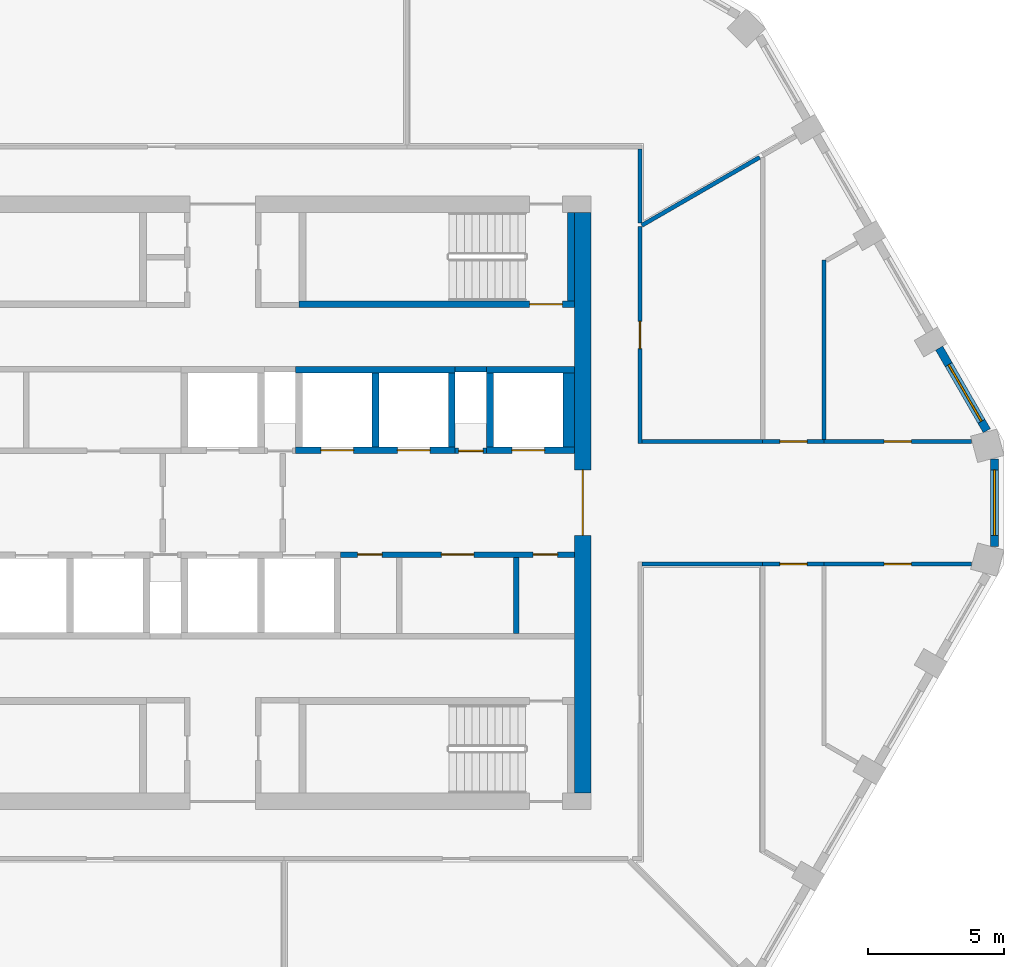
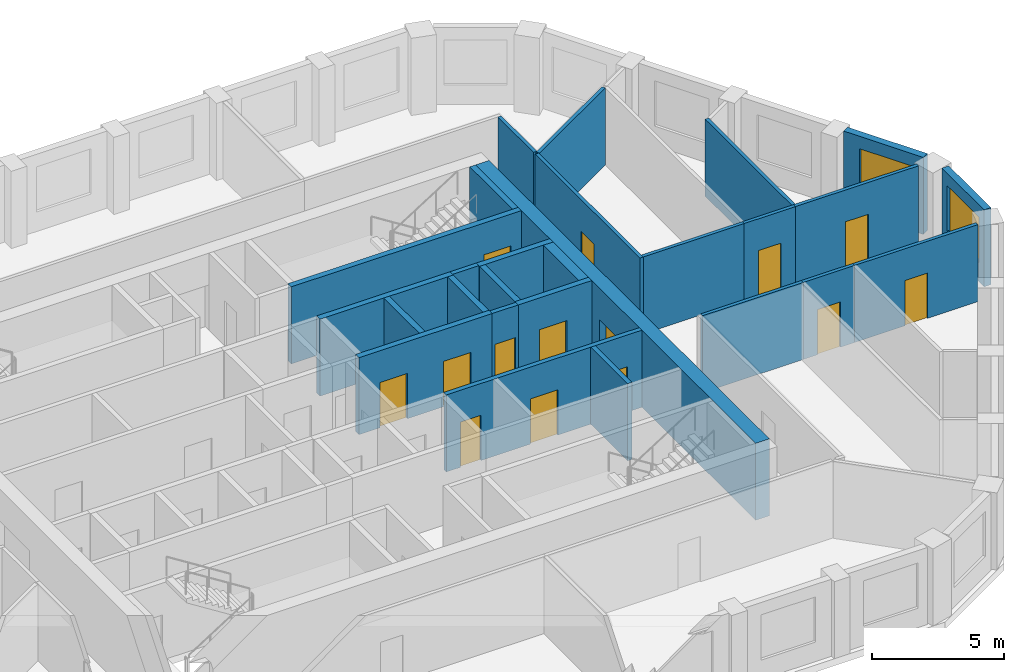
# One storey, part 5 of 11: 27 walls, 14 doors, 2 windows, 16 openings.
"""IFC4 building model written with IfcOpenShell, lengths in metres."""

from ifc_helpers import new_model, si_unit, direction, frame, frame_2d, origin, place, context, subcontext, project, spatial, polyline, rectangle, outline, extrude, material, layer, layer_set, type_object, element, fill, save


model = new_model("IFC4")

# Units and contexts
model_context = context("Model", 3, precision=1e-05, world=origin(), true_north=direction((0.0, 1.0)))
body_context = subcontext(model_context, "Body", "Model", "MODEL_VIEW")
ifc_project = project(units=[si_unit("LENGTHUNIT", "METRE"), si_unit("AREAUNIT", "SQUARE_METRE"), si_unit("VOLUMEUNIT", "CUBIC_METRE"), si_unit("PLANEANGLEUNIT", "RADIAN"), si_unit("MASSUNIT", "GRAM", prefix="KILO")], contexts=[model_context])

# Site, building, storey
site_placement = place(None, origin())
site = spatial("IfcSite", under=ifc_project, at=site_placement, CompositionType="ELEMENT")
building_placement = place(site_placement, origin())
building = spatial("IfcBuilding", under=site, at=building_placement, Name="Dhurran Vertical Campus", CompositionType="ELEMENT")
storey_placement = place(building_placement, frame((0.0, 0.0, 270.300048828125)))
storey = spatial("IfcBuildingStorey", under=building, at=storey_placement, Name="L67", CompositionType="ELEMENT", Elevation=270.300048828125)

# Wall, opening, window
ifc_material_1 = material(Name="Precast concrete C50/60", Category="concrete")
ifc_layer_1 = layer(ifc_material_1, 0.300048828125)
ifc_layer_set_1 = layer_set([ifc_layer_1], Name="Precast concrete C50/60")
wall_type_1 = type_object("IfcWallType", Name="Precast spandrel wall 300", PredefinedType="SOLIDWALL", material=ifc_layer_set_1)
wall_1_placement = place(storey_placement, frame((28.297119140625, -1.59814453125, 0.0), z_axis=(0.0, 0.0, 1.0), x_axis=(0.0, 1.0, 0.0)))
wall_1 = element("IfcWall", 1, at=wall_1_placement, inside=storey, type_object=wall_type_1, Name="EW1 L67.12", PredefinedType="SOLIDWALL", context=body_context, shape_type="SweptSolid", body=[
    extrude(rectangle(XDim=3.1962890625, YDim=0.300048828125, at=frame_2d((1.59814453125, 0.0))), origin(), (0.0, 0.0, 1.0), 3.574951171875),
])
opening_1_placement = place(wall_1_placement, frame((0.398193359375, 0.0, 0.89990234375)))
opening_1 = element("IfcOpeningElement", 2, at=opening_1_placement, cuts=wall_1, Name="Opening WT1", PredefinedType="OPENING", context=body_context, shape_type="SweptSolid", body=[
    extrude(rectangle(XDim=2.39990234375, YDim=2.10009765625, at=frame_2d((1.199951171875, 1.050048828125))), frame((0.0, 0.159912109375, 0.0), z_axis=(0.0, -1.0, 0.0), x_axis=(1.0, 0.0, 0.0)), (0.0, 0.0, 1.0), 0.320068359375),
])
ifc_material_2 = material(Name="Aluminium frame with solar-control glass", Category="aluminium")
window_type = type_object("IfcWindowType", Name="Punched window 2400 x 2100", PartitioningType="SINGLE_PANEL", PredefinedType="WINDOW", material=ifc_material_2)
window_1_placement = place(opening_1_placement, origin())
window_1 = element("IfcWindow", 3, at=window_1_placement, inside=storey, type_object=window_type, Name="WT1 L67.12", OverallHeight=2.10009765625, OverallWidth=2.39990234375, PartitioningType="SINGLE_PANEL", PredefinedType="WINDOW", context=body_context, shape_type="SweptSolid", body=[
    extrude(rectangle(XDim=2.39990234375, YDim=2.10009765625, at=frame_2d((1.199951171875, 1.050048828125))), frame((0.0, 0.030029296875, 0.0), z_axis=(0.0, -1.0, 0.0), x_axis=(1.0, 0.0, 0.0)), (0.0, 0.0, 1.0), 0.06005859375),
])
fill(opening_1, window_1)

wall_2_placement = place(storey_placement, frame((28.01806640625, 2.6396484375, 0.0), z_axis=(0.0, 0.0, 1.0), x_axis=(-0.499990325971, 0.866030989016, 0.0)))
wall_2 = element("IfcWall", 4, at=wall_2_placement, inside=storey, type_object=wall_type_1, Name="EW1 L67.13", PredefinedType="SOLIDWALL", context=body_context, shape_type="SweptSolid", body=[
    extrude(rectangle(XDim=3.49755859375, YDim=0.300048828125, at=frame_2d((1.748779296875, 0.0))), origin(), (0.0, 0.0, 1.0), 3.574951171875),
])
opening_2_placement = place(wall_2_placement, frame((0.398193359375, 0.0, 0.89990234375)))
opening_2 = element("IfcOpeningElement", 5, at=opening_2_placement, cuts=wall_2, Name="Opening WT1", PredefinedType="OPENING", context=body_context, shape_type="SweptSolid", body=[
    extrude(rectangle(XDim=2.39990234375, YDim=2.10009765625, at=frame_2d((1.199951171875, 1.050048828125))), frame((0.0, 0.159912109375, 0.0), z_axis=(0.0, -1.0, 0.0), x_axis=(1.0, 0.0, 0.0)), (0.0, 0.0, 1.0), 0.320068359375),
])
window_2_placement = place(opening_2_placement, origin())
window_2 = element("IfcWindow", 6, at=window_2_placement, inside=storey, type_object=window_type, Name="WT1 L67.13", OverallHeight=2.10009765625, OverallWidth=2.39990234375, PartitioningType="SINGLE_PANEL", PredefinedType="WINDOW", context=body_context, shape_type="SweptSolid", body=[
    extrude(rectangle(XDim=2.39990234375, YDim=2.10009765625, at=frame_2d((1.199951171875, 1.050048828125))), frame((0.0, 0.030029296875, 0.0), z_axis=(0.0, -1.0, 0.0), x_axis=(1.0, 0.0, 0.0)), (0.0, 0.0, 1.0), 0.06005859375),
])
fill(opening_2, window_2)

# Wall, opening, door
ifc_material_3 = material(Name="Concrete C50/60", Category="concrete")
ifc_layer_2 = layer(ifc_material_3, 0.60009765625)
ifc_layer_set_2 = layer_set([ifc_layer_2], Name="Concrete C50/60")
wall_type_2 = type_object("IfcWallType", Name="co-CORE-WALL-C2-600", PredefinedType="SHEAR", material=ifc_layer_set_2)
wall_3_placement = place(storey_placement, frame((13.199951171875, -10.64990234375, 0.0), z_axis=(0.0, 0.0, 1.0), x_axis=(0.0, 1.0, 0.0)))
wall_3 = element("IfcWall", 7, at=wall_3_placement, inside=storey, type_object=wall_type_2, Name="Core wall E L67", PredefinedType="SHEAR", context=body_context, shape_type="SweptSolid", body=[
    extrude(rectangle(XDim=21.2998046875, YDim=0.60009765625, at=frame_2d((10.64990234375, 0.0))), origin(), (0.0, 0.0, 1.0), 3.574951171875),
])
opening_3_placement = place(wall_3_placement, frame((9.449951171875, 0.0, 0.0)))
opening_3 = element("IfcOpeningElement", 8, at=opening_3_placement, cuts=wall_3, Name="Opening CL2", PredefinedType="OPENING", context=body_context, shape_type="SweptSolid", body=[
    extrude(rectangle(XDim=2.39990234375, YDim=2.10009765625, at=frame_2d((1.199951171875, 1.050048828125))), frame((0.0, 0.31005859375, 0.0), z_axis=(0.0, -1.0, 0.0), x_axis=(1.0, 0.0, 0.0)), (0.0, 0.0, 1.0), 0.6201171875),
])
ifc_material_4 = material(Name="Fire-rated glazed door set")
door_type_1 = type_object("IfcDoorType", Name="co-D-LOBBY 2400x2100", OperationType="DOUBLE_DOOR_DOUBLE_SWING", PredefinedType="DOOR", material=ifc_material_4)
door_1_placement = place(opening_3_placement, origin())
door_1 = element("IfcDoor", 9, at=door_1_placement, inside=storey, type_object=door_type_1, Name="Lift lobby door E L67", OperationType="DOUBLE_DOOR_DOUBLE_SWING", OverallHeight=2.10009765625, OverallWidth=2.39990234375, PredefinedType="DOOR", context=body_context, shape_type="SweptSolid", body=[
    extrude(rectangle(XDim=2.39990234375, YDim=2.10009765625, at=frame_2d((1.199951171875, 1.050048828125))), frame((0.0, 0.02490234375, 0.0), z_axis=(0.0, -1.0, 0.0), x_axis=(1.0, 0.0, 0.0)), (0.0, 0.0, 1.0), 0.050048828125),
])
fill(opening_3, door_1)

ifc_material_5 = material(Name="Fire-rated masonry blockwork", Category="masonry")
ifc_layer_3 = layer(ifc_material_5, 0.199951171875)
ifc_layer_set_3 = layer_set([ifc_layer_3], Name="Fire-rated masonry blockwork")
wall_type_3 = type_object("IfcWallType", Name="co-FIRE-PARTITION-200", PredefinedType="PARTITIONING", material=ifc_layer_set_3)
wall_4_placement = place(storey_placement, frame((8.52490234375, 1.89990234375, 0.0), z_axis=(0.0, 0.0, 1.0), x_axis=(1.0, 0.0, 0.0)))
wall_4 = element("IfcWall", 10, at=wall_4_placement, inside=storey, type_object=wall_type_3, Name="Core partition fr-N2-f L67", PredefinedType="PARTITIONING", context=body_context, shape_type="SweptSolid", body=[
    extrude(rectangle(XDim=1.150146484375, YDim=0.199951171875, at=frame_2d((0.5751953125, 0.0))), origin(), (0.0, 0.0, 1.0), 3.574951171875),
])
opening_4_placement = place(wall_4_placement, frame((0.125, 0.0, 0.0)))
opening_4 = element("IfcOpeningElement", 11, at=opening_4_placement, cuts=wall_4, Name="Opening T20-C9", PredefinedType="OPENING", context=body_context, shape_type="SweptSolid", body=[
    extrude(rectangle(XDim=0.89990234375, YDim=2.10009765625, at=frame_2d((0.449951171875, 1.050048828125))), frame((0.0, 0.10986328125, 0.0), z_axis=(0.0, -1.0, 0.0), x_axis=(1.0, 0.0, 0.0)), (0.0, 0.0, 1.0), 0.219970703125),
])
ifc_material_6 = material(Name="Fire-rated timber door set", Category="wood")
door_type_2 = type_object("IfcDoorType", Name="co-D-ROOM 900x2100", OperationType="SINGLE_SWING_LEFT", PredefinedType="DOOR", material=ifc_material_6)
door_2_placement = place(opening_4_placement, origin())
door_2 = element("IfcDoor", 12, at=door_2_placement, inside=storey, type_object=door_type_2, Name="Communications riser door L67", OperationType="SINGLE_SWING_LEFT", OverallHeight=2.10009765625, OverallWidth=0.89990234375, PredefinedType="DOOR", context=body_context, shape_type="SweptSolid", body=[
    extrude(rectangle(XDim=0.89990234375, YDim=2.10009765625, at=frame_2d((0.449951171875, 1.050048828125))), frame((0.0, 0.02490234375, 0.0), z_axis=(0.0, -1.0, 0.0), x_axis=(1.0, 0.0, 0.0)), (0.0, 0.0, 1.0), 0.050048828125),
])
fill(opening_4, door_2)

# Walls
wall_5_placement = place(storey_placement, frame((8.52490234375, 4.89990234375, 0.0), z_axis=(0.0, 0.0, 1.0), x_axis=(1.0, 0.0, 0.0)))
element("IfcWall", 13, at=wall_5_placement, inside=storey, type_object=wall_type_3, Name="Core partition fr-N2-b L67", PredefinedType="PARTITIONING", context=body_context, shape_type="SweptSolid", body=[
    extrude(rectangle(XDim=1.150146484375, YDim=0.199951171875, at=frame_2d((0.5751953125, 0.0))), origin(), (0.0, 0.0, 1.0), 3.574951171875),
])
wall_6_placement = place(storey_placement, frame((10.756103515625, -4.800048828125, 0.0), z_axis=(0.0, 0.0, 1.0), x_axis=(0.0, 1.0, 0.0)))
element("IfcWall", 14, at=wall_6_placement, inside=storey, type_object=wall_type_3, Name="Core partition fr-S2-cut1 L67", PredefinedType="PARTITIONING", context=body_context, shape_type="SweptSolid", body=[
    extrude(rectangle(XDim=2.800048828125, YDim=0.199951171875, at=frame_2d((1.39990234375, 0.0))), origin(), (0.0, 0.0, 1.0), 3.574951171875),
])

# Wall, openings, doors
wall_7_placement = place(storey_placement, frame((4.324951171875, -1.89990234375, 0.0), z_axis=(0.0, 0.0, 1.0), x_axis=(1.0, 0.0, 0.0)))
wall_7 = element("IfcWall", 15, at=wall_7_placement, inside=storey, type_object=wall_type_3, Name="Core partition fr-S2-f L67", PredefinedType="PARTITIONING", context=body_context, shape_type="SweptSolid", body=[
    extrude(rectangle(XDim=8.574951171875, YDim=0.199951171875, at=frame_2d((4.28759765625, 0.0))), origin(), (0.0, 0.0, 1.0), 3.574951171875),
])
opening_5_placement = place(wall_7_placement, frame((0.621826171875, 0.0, 0.0)))
opening_5 = element("IfcOpeningElement", 16, at=opening_5_placement, cuts=wall_7, Name="Opening T20-C12", PredefinedType="OPENING", context=body_context, shape_type="SweptSolid", body=[
    extrude(rectangle(XDim=0.89990234375, YDim=2.10009765625, at=frame_2d((0.449951171875, 1.050048828125))), frame((0.0, 0.10986328125, 0.0), z_axis=(0.0, -1.0, 0.0), x_axis=(1.0, 0.0, 0.0)), (0.0, 0.0, 1.0), 0.219970703125),
])
opening_6_placement = place(wall_7_placement, frame((3.6875, 0.0, 0.0)))
opening_6 = element("IfcOpeningElement", 17, at=opening_6_placement, cuts=wall_7, Name="Opening T20-C13", PredefinedType="OPENING", context=body_context, shape_type="SweptSolid", body=[
    extrude(rectangle(XDim=1.199951171875, YDim=2.10009765625, at=frame_2d((0.60009765625, 1.050048828125))), frame((0.0, 0.10986328125, 0.0), z_axis=(0.0, -1.0, 0.0), x_axis=(1.0, 0.0, 0.0)), (0.0, 0.0, 1.0), 0.219970703125),
])
opening_7_placement = place(wall_7_placement, frame((7.052978515625, 0.0, 0.0)))
opening_7 = element("IfcOpeningElement", 18, at=opening_7_placement, cuts=wall_7, Name="Opening T20-C14", PredefinedType="OPENING", context=body_context, shape_type="SweptSolid", body=[
    extrude(rectangle(XDim=0.89990234375, YDim=2.10009765625, at=frame_2d((0.449951171875, 1.050048828125))), frame((0.0, 0.10986328125, 0.0), z_axis=(0.0, -1.0, 0.0), x_axis=(1.0, 0.0, 0.0)), (0.0, 0.0, 1.0), 0.219970703125),
])
door_3_placement = place(opening_5_placement, origin())
door_3 = element("IfcDoor", 19, at=door_3_placement, inside=storey, type_object=door_type_2, Name="Store door L67", OperationType="SINGLE_SWING_LEFT", OverallHeight=2.10009765625, OverallWidth=0.89990234375, PredefinedType="DOOR", context=body_context, shape_type="SweptSolid", body=[
    extrude(rectangle(XDim=0.89990234375, YDim=2.10009765625, at=frame_2d((0.449951171875, 1.050048828125))), frame((0.0, 0.02490234375, 0.0), z_axis=(0.0, -1.0, 0.0), x_axis=(1.0, 0.0, 0.0)), (0.0, 0.0, 1.0), 0.050048828125),
])
fill(opening_5, door_3)
door_4_placement = place(opening_7_placement, origin())
door_4 = element("IfcDoor", 20, at=door_4_placement, inside=storey, type_object=door_type_2, Name="Plant room door L67", OperationType="SINGLE_SWING_LEFT", OverallHeight=2.10009765625, OverallWidth=0.89990234375, PredefinedType="DOOR", context=body_context, shape_type="SweptSolid", body=[
    extrude(rectangle(XDim=0.89990234375, YDim=2.10009765625, at=frame_2d((0.449951171875, 1.050048828125))), frame((0.0, 0.02490234375, 0.0), z_axis=(0.0, -1.0, 0.0), x_axis=(1.0, 0.0, 0.0)), (0.0, 0.0, 1.0), 0.050048828125),
])
fill(opening_7, door_4)
ifc_material_7 = material(Name="Fire-rated steel door set", Category="steel")
door_type_3 = type_object("IfcDoorType", Name="co-D-ROOM-PASSAGE 1200x2100", OperationType="SINGLE_SWING_RIGHT", PredefinedType="DOOR", material=ifc_material_7)
door_5_placement = place(opening_6_placement, origin())
door_5 = element("IfcDoor", 21, at=door_5_placement, inside=storey, type_object=door_type_3, Name="Communications room door L67", OperationType="SINGLE_SWING_RIGHT", OverallHeight=2.10009765625, OverallWidth=1.199951171875, PredefinedType="DOOR", context=body_context, shape_type="SweptSolid", body=[
    extrude(rectangle(XDim=1.199951171875, YDim=2.10009765625, at=frame_2d((0.60009765625, 1.050048828125))), frame((0.0, 0.02490234375, 0.0), z_axis=(0.0, -1.0, 0.0), x_axis=(1.0, 0.0, 0.0)), (0.0, 0.0, 1.0), 0.050048828125),
])
fill(opening_6, door_5)

ifc_material_8 = material(Name="Concrete C50/60", Category="concrete")
ifc_layer_4 = layer(ifc_material_8, 0.25)
ifc_layer_set_4 = layer_set([ifc_layer_4], Name="Concrete C50/60")
wall_type_4 = type_object("IfcWallType", Name="co-SHAFT-FRONT-250", PredefinedType="SHEAR", material=ifc_layer_set_4)
wall_8_placement = place(storey_placement, frame((2.675048828125, 1.925048828125, 0.0), z_axis=(0.0, 0.0, 1.0), x_axis=(1.0, 0.0, 0.0)))
wall_8 = element("IfcWall", 22, at=wall_8_placement, inside=storey, type_object=wall_type_4, Name="Lift landing wall N L67", PredefinedType="SHEAR", context=body_context, shape_type="SweptSolid", body=[
    extrude(rectangle(XDim=5.849853515625, YDim=0.25, at=frame_2d((2.9248046875, 0.0))), origin(), (0.0, 0.0, 1.0), 3.574951171875),
])
opening_8_placement = place(wall_8_placement, frame((0.925048828125, 0.0, 0.0)))
opening_8 = element("IfcOpeningElement", 23, at=opening_8_placement, cuts=wall_8, Name="Opening LD", PredefinedType="OPENING", context=body_context, shape_type="SweptSolid", body=[
    extrude(rectangle(XDim=1.199951171875, YDim=2.10009765625, at=frame_2d((0.60009765625, 1.050048828125))), frame((0.0, 0.135009765625, 0.0), z_axis=(0.0, -1.0, 0.0), x_axis=(1.0, 0.0, 0.0)), (0.0, 0.0, 1.0), 0.27001953125),
])
opening_9_placement = place(wall_8_placement, frame((3.72509765625, 0.0, 0.0)))
opening_9 = element("IfcOpeningElement", 24, at=opening_9_placement, cuts=wall_8, Name="Opening LD", PredefinedType="OPENING", context=body_context, shape_type="SweptSolid", body=[
    extrude(rectangle(XDim=1.199951171875, YDim=2.10009765625, at=frame_2d((0.60009765625, 1.050048828125))), frame((0.0, 0.135009765625, 0.0), z_axis=(0.0, -1.0, 0.0), x_axis=(1.0, 0.0, 0.0)), (0.0, 0.0, 1.0), 0.27001953125),
])
ifc_material_9 = material(Name="Stainless steel landing door", Category="steel")
door_type_4 = type_object("IfcDoorType", Name="co-D-LANDING 1200x2100", OperationType="DOUBLE_DOOR_SLIDING", PredefinedType="DOOR", material=ifc_material_9)
door_6_placement = place(opening_8_placement, origin())
door_6 = element("IfcDoor", 25, at=door_6_placement, inside=storey, type_object=door_type_4, Name="Landing door HR1 L67", OperationType="DOUBLE_DOOR_SLIDING", OverallHeight=2.10009765625, OverallWidth=1.199951171875, PredefinedType="DOOR", context=body_context, shape_type="SweptSolid", body=[
    extrude(rectangle(XDim=1.199951171875, YDim=2.10009765625, at=frame_2d((0.60009765625, 1.050048828125))), frame((0.0, 0.02490234375, 0.0), z_axis=(0.0, -1.0, 0.0), x_axis=(1.0, 0.0, 0.0)), (0.0, 0.0, 1.0), 0.050048828125),
])
fill(opening_8, door_6)
door_7_placement = place(opening_9_placement, origin())
door_7 = element("IfcDoor", 26, at=door_7_placement, inside=storey, type_object=door_type_4, Name="Landing door HR2 L67", OperationType="DOUBLE_DOOR_SLIDING", OverallHeight=2.10009765625, OverallWidth=1.199951171875, PredefinedType="DOOR", context=body_context, shape_type="SweptSolid", body=[
    extrude(rectangle(XDim=1.199951171875, YDim=2.10009765625, at=frame_2d((0.60009765625, 1.050048828125))), frame((0.0, 0.02490234375, 0.0), z_axis=(0.0, -1.0, 0.0), x_axis=(1.0, 0.0, 0.0)), (0.0, 0.0, 1.0), 0.050048828125),
])
fill(opening_9, door_7)

# Wall, opening, door
wall_9_placement = place(storey_placement, frame((9.675048828125, 1.925048828125, 0.0), z_axis=(0.0, 0.0, 1.0), x_axis=(1.0, 0.0, 0.0)))
wall_9 = element("IfcWall", 27, at=wall_9_placement, inside=storey, type_object=wall_type_4, Name="Lift landing wall N L67", PredefinedType="SHEAR", context=body_context, shape_type="SweptSolid", body=[
    extrude(rectangle(XDim=3.224853515625, YDim=0.25, at=frame_2d((1.6123046875, 0.0))), origin(), (0.0, 0.0, 1.0), 3.574951171875),
])
opening_10_placement = place(wall_9_placement, frame((0.925048828125, 0.0, 0.0)))
opening_10 = element("IfcOpeningElement", 28, at=opening_10_placement, cuts=wall_9, Name="Opening LD", PredefinedType="OPENING", context=body_context, shape_type="SweptSolid", body=[
    extrude(rectangle(XDim=1.199951171875, YDim=2.10009765625, at=frame_2d((0.60009765625, 1.050048828125))), frame((0.0, 0.135009765625, 0.0), z_axis=(0.0, -1.0, 0.0), x_axis=(1.0, 0.0, 0.0)), (0.0, 0.0, 1.0), 0.27001953125),
])
door_8_placement = place(opening_10_placement, origin())
door_8 = element("IfcDoor", 29, at=door_8_placement, inside=storey, type_object=door_type_4, Name="Landing door SV2 L67", OperationType="DOUBLE_DOOR_SLIDING", OverallHeight=2.10009765625, OverallWidth=1.199951171875, PredefinedType="DOOR", context=body_context, shape_type="SweptSolid", body=[
    extrude(rectangle(XDim=1.199951171875, YDim=2.10009765625, at=frame_2d((0.60009765625, 1.050048828125))), frame((0.0, 0.02490234375, 0.0), z_axis=(0.0, -1.0, 0.0), x_axis=(1.0, 0.0, 0.0)), (0.0, 0.0, 1.0), 0.050048828125),
])
fill(opening_10, door_8)

# Walls
ifc_material_10 = material(Name="Concrete C50/60", Category="concrete")
ifc_layer_5 = layer(ifc_material_10, 0.25)
ifc_layer_set_5 = layer_set([ifc_layer_5], Name="Concrete C50/60")
wall_type_5 = type_object("IfcWallType", Name="co-SHAFT-MASS-250", PredefinedType="SHEAR", material=ifc_layer_set_5)
wall_10_placement = place(storey_placement, origin())
element("IfcWall", 30, at=wall_10_placement, inside=storey, type_object=wall_type_5, Name="Lift shaft wall N L67 2", PredefinedType="SHEAR", context=body_context, shape_type="SweptSolid", body=[
    extrude(outline(polyline([(2.675048828125, 4.75), (8.52490234375, 4.75), (8.52490234375, 5.0), (2.675048828125, 5.0), (2.675048828125, 4.75)])), origin(), (0.0, 0.0, 1.0), 3.574951171875),
])
wall_11_placement = place(storey_placement, origin())
element("IfcWall", 31, at=wall_11_placement, inside=storey, type_object=wall_type_5, Name="Lift shaft wall N L67 3", PredefinedType="SHEAR", context=body_context, shape_type="SweptSolid", body=[
    extrude(outline(polyline([(9.675048828125, 4.75), (12.89990234375, 4.75), (12.89990234375, 5.0), (9.675048828125, 5.0), (9.675048828125, 4.75)])), origin(), (0.0, 0.0, 1.0), 3.574951171875),
])
wall_12_placement = place(storey_placement, origin())
element("IfcWall", 32, at=wall_12_placement, inside=storey, type_object=wall_type_5, Name="Lift shaft wall N L67 7", PredefinedType="SHEAR", context=body_context, shape_type="SweptSolid", body=[
    extrude(outline(polyline([(5.47509765625, 2.050048828125), (5.72509765625, 2.050048828125), (5.72509765625, 4.75), (5.47509765625, 4.75), (5.47509765625, 2.050048828125)])), origin(), (0.0, 0.0, 1.0), 3.574951171875),
])
wall_13_placement = place(storey_placement, origin())
element("IfcWall", 33, at=wall_13_placement, inside=storey, type_object=wall_type_5, Name="Lift shaft wall N L67 8", PredefinedType="SHEAR", context=body_context, shape_type="SweptSolid", body=[
    extrude(outline(polyline([(8.27490234375, 2.050048828125), (8.52490234375, 2.050048828125), (8.52490234375, 4.75), (8.27490234375, 4.75), (8.27490234375, 2.050048828125)])), origin(), (0.0, 0.0, 1.0), 3.574951171875),
])
wall_14_placement = place(storey_placement, origin())
element("IfcWall", 34, at=wall_14_placement, inside=storey, type_object=wall_type_5, Name="Lift shaft wall N L67 9", PredefinedType="SHEAR", context=body_context, shape_type="SweptSolid", body=[
    extrude(outline(polyline([(9.675048828125, 2.050048828125), (9.925048828125, 2.050048828125), (9.925048828125, 4.75), (9.675048828125, 4.75), (9.675048828125, 2.050048828125)])), origin(), (0.0, 0.0, 1.0), 3.574951171875),
])
wall_15_placement = place(storey_placement, origin())
element("IfcWall", 35, at=wall_15_placement, inside=storey, type_object=wall_type_5, Name="Lift shaft wall N L67 10", PredefinedType="SHEAR", context=body_context, shape_type="SweptSolid", body=[
    extrude(outline(polyline([(12.47509765625, 2.050048828125), (12.89990234375, 2.050048828125), (12.89990234375, 4.75), (12.47509765625, 4.75), (12.47509765625, 2.050048828125)])), origin(), (0.0, 0.0, 1.0), 3.574951171875),
])

# Wall, opening, door
ifc_material_11 = material(Name="Concrete C40/50", Category="concrete")
ifc_layer_6 = layer(ifc_material_11, 0.25)
ifc_layer_set_6 = layer_set([ifc_layer_6], Name="Concrete C40/50")
wall_type_6 = type_object("IfcWallType", Name="co-STAIR-WALL-250", PredefinedType="SHEAR", material=ifc_layer_set_6)
wall_16_placement = place(storey_placement, frame((2.800048828125, 7.27490234375, 0.0), z_axis=(0.0, 0.0, 1.0), x_axis=(1.0, 0.0, 0.0)))
wall_16 = element("IfcWall", 36, at=wall_16_placement, inside=storey, type_object=wall_type_6, Name="Stair ST2 enclosure wall L67", PredefinedType="SHEAR", context=body_context, shape_type="SweptSolid", body=[
    extrude(rectangle(XDim=10.099853515625, YDim=0.25, at=frame_2d((5.0498046875, 0.0))), origin(), (0.0, 0.0, 1.0), 3.574951171875),
])
opening_11_placement = place(wall_16_placement, frame((8.449951171875, 0.0, 0.0)))
opening_11 = element("IfcOpeningElement", 37, at=opening_11_placement, cuts=wall_16, Name="Opening SD2", PredefinedType="OPENING", context=body_context, shape_type="SweptSolid", body=[
    extrude(rectangle(XDim=1.199951171875, YDim=2.10009765625, at=frame_2d((0.60009765625, 1.050048828125))), frame((0.0, 0.135009765625, 0.0), z_axis=(0.0, -1.0, 0.0), x_axis=(1.0, 0.0, 0.0)), (0.0, 0.0, 1.0), 0.27001953125),
])
ifc_material_12 = material(Name="Fire-rated steel door set", Category="steel")
door_type_5 = type_object("IfcDoorType", Name="co-D-STAIR 1200x2100", OperationType="SINGLE_SWING_LEFT", PredefinedType="DOOR", material=ifc_material_12)
door_9_placement = place(opening_11_placement, origin())
door_9 = element("IfcDoor", 38, at=door_9_placement, inside=storey, type_object=door_type_5, Name="Stair ST2 door L67", OperationType="SINGLE_SWING_LEFT", OverallHeight=2.10009765625, OverallWidth=1.199951171875, PredefinedType="DOOR", context=body_context, shape_type="SweptSolid", body=[
    extrude(rectangle(XDim=1.199951171875, YDim=2.10009765625, at=frame_2d((0.60009765625, 1.050048828125))), frame((0.0, 0.02490234375, 0.0), z_axis=(0.0, -1.0, 0.0), x_axis=(1.0, 0.0, 0.0)), (0.0, 0.0, 1.0), 0.050048828125),
])
fill(opening_11, door_9)

# Walls
wall_17_placement = place(storey_placement, frame((12.77490234375, 7.39990234375, 0.0), z_axis=(0.0, 0.0, 1.0), x_axis=(0.0, 1.0, 0.0)))
element("IfcWall", 39, at=wall_17_placement, inside=storey, type_object=wall_type_6, Name="Stair ST2 enclosure wall L67", PredefinedType="SHEAR", context=body_context, shape_type="SweptSolid", body=[
    extrude(rectangle(XDim=3.25, YDim=0.25, at=frame_2d((1.625, 0.0))), origin(), (0.0, 0.0, 1.0), 3.574951171875),
])
ifc_material_13 = material(Name="Gypsum board corridor wall on steel studs", Category="steel")
ifc_layer_7 = layer(ifc_material_13, 0.14990234375)
ifc_layer_set_7 = layer_set([ifc_layer_7], Name="Gypsum board corridor wall on steel studs")
wall_type_7 = type_object("IfcWallType", Name="fl-CW-150 corridor wall", PredefinedType="PARTITIONING", material=ifc_layer_set_7)
wall_18_placement = place(storey_placement, frame((19.800048828125, -2.25, 0.0), z_axis=(0.0, 0.0, 1.0), x_axis=(-1.0, 0.0, 0.0)))
element("IfcWall", 40, at=wall_18_placement, inside=storey, type_object=wall_type_7, Name="Partition 67-28", PredefinedType="PARTITIONING", context=body_context, shape_type="SweptSolid", body=[
    extrude(rectangle(XDim=4.425048828125, YDim=0.14990234375, at=frame_2d((2.21240234375, 0.0))), origin(), (0.0, 0.0, 1.0), 3.574951171875),
])

# Wall, opening, door
wall_19_placement = place(storey_placement, frame((15.300048828125, 2.175048828125, 0.0), z_axis=(0.0, 0.0, 1.0), x_axis=(0.0, 1.0, 0.0)))
wall_19 = element("IfcWall", 41, at=wall_19_placement, inside=storey, type_object=wall_type_7, Name="Partition 67-29", PredefinedType="PARTITIONING", context=body_context, shape_type="SweptSolid", body=[
    extrude(rectangle(XDim=7.95703125, YDim=0.14990234375, at=frame_2d((3.978515625, 0.0))), origin(), (0.0, 0.0, 1.0), 3.574951171875),
])
opening_12_placement = place(wall_19_placement, frame((3.478515625, 0.0, 0.0)))
opening_12 = element("IfcOpeningElement", 42, at=opening_12_placement, cuts=wall_19, Name="Opening T20.11", PredefinedType="OPENING", context=body_context, shape_type="SweptSolid", body=[
    extrude(rectangle(XDim=1.0, YDim=2.10009765625, at=frame_2d((0.5, 1.050048828125))), frame((0.0, 0.0849609375, 0.0), z_axis=(0.0, -1.0, 0.0), x_axis=(1.0, 0.0, 0.0)), (0.0, 0.0, 1.0), 0.169921875),
])
ifc_material_14 = material(Name="Solid-core timber door set, fire-rated", Category="wood")
door_type_6 = type_object("IfcDoorType", Name="fl-D-1000x2100", OperationType="SINGLE_SWING_LEFT", PredefinedType="DOOR", material=ifc_material_14)
door_10_placement = place(opening_12_placement, origin())
door_10 = element("IfcDoor", 43, at=door_10_placement, inside=storey, type_object=door_type_6, Name="Door 67.11", OperationType="SINGLE_SWING_RIGHT", OverallHeight=2.10009765625, OverallWidth=1.0, PredefinedType="DOOR", context=body_context, shape_type="SweptSolid", body=[
    extrude(rectangle(XDim=1.0, YDim=2.10009765625, at=frame_2d((0.5, 1.050048828125))), frame((0.0, 0.02490234375, 0.0), z_axis=(0.0, -1.0, 0.0), x_axis=(1.0, 0.0, 0.0)), (0.0, 0.0, 1.0), 0.050048828125),
])
fill(opening_12, door_10)

# Walls
wall_20_placement = place(storey_placement, frame((15.375, 2.25, 0.0), z_axis=(0.0, 0.0, 1.0), x_axis=(1.0, 0.0, 0.0)))
element("IfcWall", 44, at=wall_20_placement, inside=storey, type_object=wall_type_7, Name="Partition 67-30", PredefinedType="PARTITIONING", context=body_context, shape_type="SweptSolid", body=[
    extrude(rectangle(XDim=4.425048828125, YDim=0.14990234375, at=frame_2d((2.21240234375, 0.0))), origin(), (0.0, 0.0, 1.0), 3.574951171875),
])
wall_21_placement = place(storey_placement, frame((15.300048828125, 10.261962890625, 0.0), z_axis=(0.0, 0.0, 1.0), x_axis=(0.0, 1.0, 0.0)))
element("IfcWall", 45, at=wall_21_placement, inside=storey, type_object=wall_type_7, Name="Partition 67-31", PredefinedType="PARTITIONING", context=body_context, shape_type="SweptSolid", body=[
    extrude(rectangle(XDim=2.713134765625, YDim=0.14990234375, at=frame_2d((1.3564453125, 0.0))), origin(), (0.0, 0.0, 1.0), 3.574951171875),
])

# Wall, opening, door
wall_22_placement = place(storey_placement, frame((22.050048828125, -2.25, 0.0), z_axis=(0.0, 0.0, 1.0), x_axis=(-1.0, 0.0, 0.0)))
wall_22 = element("IfcWall", 46, at=wall_22_placement, inside=storey, type_object=wall_type_7, Name="Partition 67-35", PredefinedType="PARTITIONING", context=body_context, shape_type="SweptSolid", body=[
    extrude(rectangle(XDim=2.25, YDim=0.14990234375, at=frame_2d((1.125, 0.0))), origin(), (0.0, 0.0, 1.0), 3.574951171875),
])
opening_13_placement = place(wall_22_placement, frame((0.625, 0.0, 0.0)))
opening_13 = element("IfcOpeningElement", 47, at=opening_13_placement, cuts=wall_22, Name="Opening T20.13", PredefinedType="OPENING", context=body_context, shape_type="SweptSolid", body=[
    extrude(rectangle(XDim=1.0, YDim=2.10009765625, at=frame_2d((0.5, 1.050048828125))), frame((0.0, 0.0849609375, 0.0), z_axis=(0.0, -1.0, 0.0), x_axis=(1.0, 0.0, 0.0)), (0.0, 0.0, 1.0), 0.169921875),
])
door_11_placement = place(opening_13_placement, origin())
door_11 = element("IfcDoor", 48, at=door_11_placement, inside=storey, type_object=door_type_6, Name="Door 67.13", OperationType="SINGLE_SWING_RIGHT", OverallHeight=2.10009765625, OverallWidth=1.0, PredefinedType="DOOR", context=body_context, shape_type="SweptSolid", body=[
    extrude(rectangle(XDim=1.0, YDim=2.10009765625, at=frame_2d((0.5, 1.050048828125))), frame((0.0, 0.02490234375, 0.0), z_axis=(0.0, -1.0, 0.0), x_axis=(1.0, 0.0, 0.0)), (0.0, 0.0, 1.0), 0.050048828125),
])
fill(opening_13, door_11)

wall_23_placement = place(storey_placement, frame((19.800048828125, 2.25, 0.0), z_axis=(0.0, 0.0, 1.0), x_axis=(1.0, 0.0, 0.0)))
wall_23 = element("IfcWall", 49, at=wall_23_placement, inside=storey, type_object=wall_type_7, Name="Partition 67-37", PredefinedType="PARTITIONING", context=body_context, shape_type="SweptSolid", body=[
    extrude(rectangle(XDim=2.25, YDim=0.14990234375, at=frame_2d((1.125, 0.0))), origin(), (0.0, 0.0, 1.0), 3.574951171875),
])
opening_14_placement = place(wall_23_placement, frame((0.625, 0.0, 0.0)))
opening_14 = element("IfcOpeningElement", 50, at=opening_14_placement, cuts=wall_23, Name="Opening T20.14", PredefinedType="OPENING", context=body_context, shape_type="SweptSolid", body=[
    extrude(rectangle(XDim=1.0, YDim=2.10009765625, at=frame_2d((0.5, 1.050048828125))), frame((0.0, 0.0849609375, 0.0), z_axis=(0.0, -1.0, 0.0), x_axis=(1.0, 0.0, 0.0)), (0.0, 0.0, 1.0), 0.169921875),
])
door_12_placement = place(opening_14_placement, origin())
door_12 = element("IfcDoor", 51, at=door_12_placement, inside=storey, type_object=door_type_6, Name="Door 67.14", OperationType="SINGLE_SWING_LEFT", OverallHeight=2.10009765625, OverallWidth=1.0, PredefinedType="DOOR", context=body_context, shape_type="SweptSolid", body=[
    extrude(rectangle(XDim=1.0, YDim=2.10009765625, at=frame_2d((0.5, 1.050048828125))), frame((0.0, 0.02490234375, 0.0), z_axis=(0.0, -1.0, 0.0), x_axis=(1.0, 0.0, 0.0)), (0.0, 0.0, 1.0), 0.050048828125),
])
fill(opening_14, door_12)

wall_24_placement = place(storey_placement, frame((27.452392578125, -2.25, 0.0), z_axis=(0.0, 0.0, 1.0), x_axis=(-1.0, 0.0, 0.0)))
wall_24 = element("IfcWall", 52, at=wall_24_placement, inside=storey, type_object=wall_type_7, Name="Partition 67-41", PredefinedType="PARTITIONING", context=body_context, shape_type="SweptSolid", body=[
    extrude(rectangle(XDim=5.40234375, YDim=0.14990234375, at=frame_2d((2.701171875, 0.0))), origin(), (0.0, 0.0, 1.0), 3.574951171875),
])
opening_15_placement = place(wall_24_placement, frame((2.201171875, 0.0, 0.0)))
opening_15 = element("IfcOpeningElement", 53, at=opening_15_placement, cuts=wall_24, Name="Opening T20.15", PredefinedType="OPENING", context=body_context, shape_type="SweptSolid", body=[
    extrude(rectangle(XDim=1.0, YDim=2.10009765625, at=frame_2d((0.5, 1.050048828125))), frame((0.0, 0.0849609375, 0.0), z_axis=(0.0, -1.0, 0.0), x_axis=(1.0, 0.0, 0.0)), (0.0, 0.0, 1.0), 0.169921875),
])
door_13_placement = place(opening_15_placement, origin())
door_13 = element("IfcDoor", 54, at=door_13_placement, inside=storey, type_object=door_type_6, Name="Door 67.15", OperationType="SINGLE_SWING_RIGHT", OverallHeight=2.10009765625, OverallWidth=1.0, PredefinedType="DOOR", context=body_context, shape_type="SweptSolid", body=[
    extrude(rectangle(XDim=1.0, YDim=2.10009765625, at=frame_2d((0.5, 1.050048828125))), frame((0.0, 0.02490234375, 0.0), z_axis=(0.0, -1.0, 0.0), x_axis=(1.0, 0.0, 0.0)), (0.0, 0.0, 1.0), 0.050048828125),
])
fill(opening_15, door_13)

wall_25_placement = place(storey_placement, frame((22.050048828125, 2.25, 0.0), z_axis=(0.0, 0.0, 1.0), x_axis=(1.0, 0.0, 0.0)))
wall_25 = element("IfcWall", 55, at=wall_25_placement, inside=storey, type_object=wall_type_7, Name="Partition 67-43", PredefinedType="PARTITIONING", context=body_context, shape_type="SweptSolid", body=[
    extrude(rectangle(XDim=5.40234375, YDim=0.14990234375, at=frame_2d((2.701171875, 0.0))), origin(), (0.0, 0.0, 1.0), 3.574951171875),
])
opening_16_placement = place(wall_25_placement, frame((2.201171875, 0.0, 0.0)))
opening_16 = element("IfcOpeningElement", 56, at=opening_16_placement, cuts=wall_25, Name="Opening T20.16", PredefinedType="OPENING", context=body_context, shape_type="SweptSolid", body=[
    extrude(rectangle(XDim=1.0, YDim=2.10009765625, at=frame_2d((0.5, 1.050048828125))), frame((0.0, 0.0849609375, 0.0), z_axis=(0.0, -1.0, 0.0), x_axis=(1.0, 0.0, 0.0)), (0.0, 0.0, 1.0), 0.169921875),
])
door_14_placement = place(opening_16_placement, origin())
door_14 = element("IfcDoor", 57, at=door_14_placement, inside=storey, type_object=door_type_6, Name="Door 67.16", OperationType="SINGLE_SWING_RIGHT", OverallHeight=2.10009765625, OverallWidth=1.0, PredefinedType="DOOR", context=body_context, shape_type="SweptSolid", body=[
    extrude(rectangle(XDim=1.0, YDim=2.10009765625, at=frame_2d((0.5, 1.050048828125))), frame((0.0, 0.02490234375, 0.0), z_axis=(0.0, -1.0, 0.0), x_axis=(1.0, 0.0, 0.0)), (0.0, 0.0, 1.0), 0.050048828125),
])
fill(opening_16, door_14)

# Walls
ifc_material_15 = material(Name="Gypsum board partition on steel studs", Category="steel")
ifc_layer_8 = layer(ifc_material_15, 0.14990234375)
ifc_layer_set_8 = layer_set([ifc_layer_8], Name="Gypsum board partition on steel studs")
wall_type_8 = type_object("IfcWallType", Name="fl-PW-150 fixed partition", PredefinedType="PARTITIONING", material=ifc_layer_set_8)
wall_26_placement = place(storey_placement, frame((19.6875, 12.6650390625, 0.0), z_axis=(0.0, 0.0, 1.0), x_axis=(-0.866025118187, -0.500000494669, 0.0)))
element("IfcWall", 58, at=wall_26_placement, inside=storey, type_object=wall_type_8, Name="Partition 67-32", PredefinedType="PARTITIONING", context=body_context, shape_type="SweptSolid", body=[
    extrude(rectangle(XDim=4.9912109375, YDim=0.14990234375, at=frame_2d((2.49560546875, 0.0))), origin(), (0.0, 0.0, 1.0), 3.574951171875),
])
wall_27_placement = place(storey_placement, frame((22.050048828125, 8.907958984375, 0.0), z_axis=(0.0, 0.0, 1.0), x_axis=(0.0, -1.0, 0.0)))
element("IfcWall", 59, at=wall_27_placement, inside=storey, type_object=wall_type_8, Name="Partition 67-42", PredefinedType="PARTITIONING", context=body_context, shape_type="SweptSolid", body=[
    extrude(rectangle(XDim=6.5830078125, YDim=0.14990234375, at=frame_2d((3.29150390625, 0.0))), origin(), (0.0, 0.0, 1.0), 3.574951171875),
])

save(model, "model.ifc")
